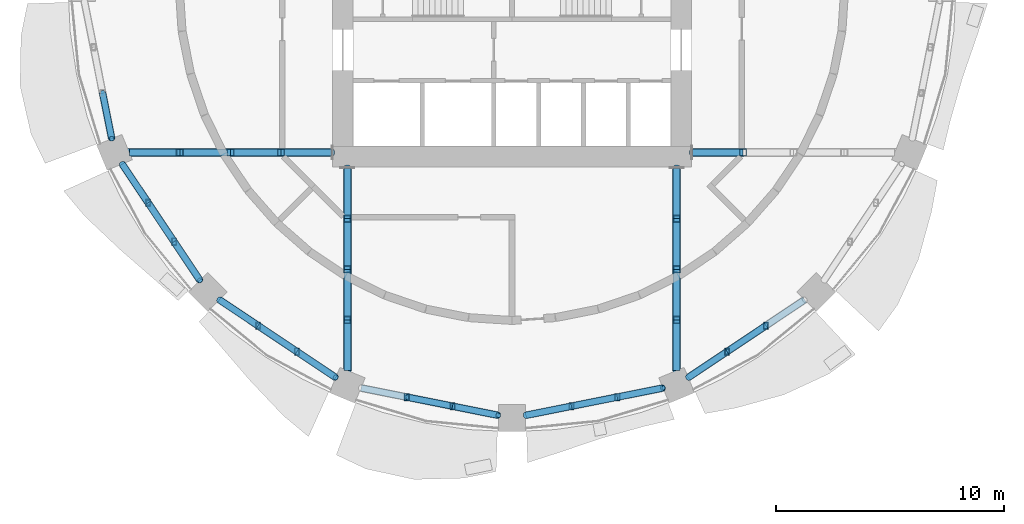
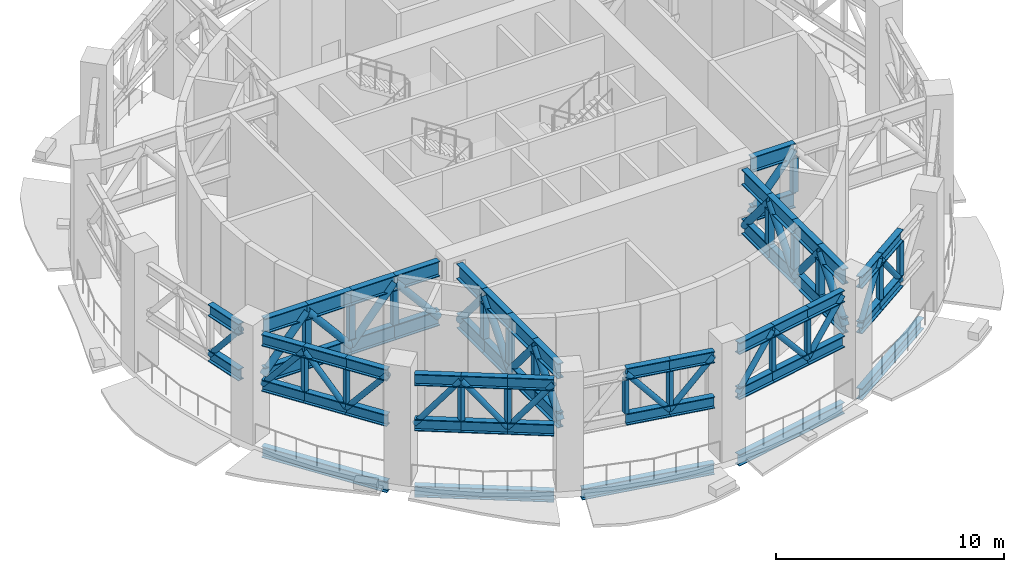
# One storey, part 2 of 14: 101 members, 5 beams.
"""IFC4 building model written with IfcOpenShell, lengths in metres."""

import ifcopenshell
import ifcopenshell.guid

model = None  # the IFC model being written
_history = None  # IfcOwnerHistory: only IFC2X3 demands one
_inside = {}  # id of a spatial element -> (the spatial element, [elements in it])
_under = {}  # id of a project, library or spatial element -> (it, [spatial elements below it])
_declared = {}  # id of a project -> (the project, [libraries it declares])
_typed = {}  # id of a type object -> (the type object, [elements of that type])
_made_of = {}  # id of a material, layer set ... -> (it, [elements and type objects made of it])


def new_model(schema):
    """Start an empty IFC model of exactly this schema.

    Asked for "IFC4X3", IfcOpenShell would pick the latest addendum, in which some entities
    have other attributes; the version numbers below select the first issue.
    IFC2X3 requires an IfcOwnerHistory on every rooted entity: one is made here for all.
    """
    global model, _history
    if schema == "IFC4X3":
        model = ifcopenshell.file(schema_version=(4, 3, 0, 0))
    else:
        model = ifcopenshell.file(schema=schema)
    _inside.clear()
    _under.clear()
    _declared.clear()
    _typed.clear()
    _made_of.clear()
    _history = None
    if model.schema == "IFC2X3":
        org = make("IfcOrganization", Name="unknown")
        user = make(
            "IfcPersonAndOrganization",
            ThePerson=make("IfcPerson", FamilyName="unknown"),
            TheOrganization=org,
        )
        app = make(
            "IfcApplication",
            ApplicationDeveloper=org,
            Version="unknown",
            ApplicationFullName="unknown",
            ApplicationIdentifier="unknown",
        )
        _history = make(
            "IfcOwnerHistory",
            OwningUser=user,
            OwningApplication=app,
            ChangeAction="ADDED",
            CreationDate=0,
        )
    return model


def make(cls, **values):
    """One entity of the class cls with the attributes given. An attribute that is None is left unset."""
    return model.create_entity(
        cls, **{name: value for name, value in values.items() if value is not None}
    )


def rooted(cls, **values):
    """An entity with a GlobalId (a new one), such as an element, a storey or a relation."""
    return make(cls, GlobalId=ifcopenshell.guid.new(), OwnerHistory=_history, **values)


def si_unit(unit_type, name, prefix=None):
    """IfcSIUnit, for example si_unit("LENGTHUNIT", "METRE", prefix="MILLI")."""
    return make("IfcSIUnit", UnitType=unit_type, Prefix=prefix, Name=name)


def assignment(units):
    """IfcUnitAssignment: the units of a project."""
    return None if units is None else make("IfcUnitAssignment", Units=units)


def point(xyz):
    """IfcCartesianPoint."""
    return None if xyz is None else make("IfcCartesianPoint", Coordinates=xyz)


def direction(xyz):
    """IfcDirection."""
    return None if xyz is None else make("IfcDirection", DirectionRatios=xyz)


def frame(location, z_axis=None, x_axis=None):
    """IfcAxis2Placement3D, a coordinate frame: its origin and axes. An axis left out is left unset."""
    return make(
        "IfcAxis2Placement3D",
        Location=point(location),
        Axis=direction(z_axis),
        RefDirection=direction(x_axis),
    )


def frame_2d(location, x_axis=None):
    """IfcAxis2Placement2D, a coordinate frame in the plane: its origin and x axis."""
    return make(
        "IfcAxis2Placement2D", Location=point(location), RefDirection=direction(x_axis)
    )


def origin():
    """The frame at (0, 0, 0) with its axes left unset."""
    return frame((0.0, 0.0, 0.0))


def origin_2d():
    """The frame at (0, 0) in the plane with its x axis left unset."""
    return frame_2d((0.0, 0.0))


def place(relative_to, where):
    """IfcLocalPlacement: puts the frame where relative to a parent placement (None: the world)."""
    return make(
        "IfcLocalPlacement", PlacementRelTo=relative_to, RelativePlacement=where
    )


def context(
    kind, dimensions, precision=None, world=None, true_north=None, identifier=None
):
    """IfcGeometricRepresentationContext, for example the 3D "Model" context."""
    return make(
        "IfcGeometricRepresentationContext",
        ContextIdentifier=identifier,
        ContextType=kind,
        CoordinateSpaceDimension=dimensions,
        Precision=precision,
        WorldCoordinateSystem=world,
        TrueNorth=true_north,
    )


def subcontext(parent, identifier, kind, view, scale=None):
    """IfcGeometricRepresentationSubContext, for example "Body" below "Model"."""
    return make(
        "IfcGeometricRepresentationSubContext",
        ContextIdentifier=identifier,
        ContextType=kind,
        ParentContext=parent,
        TargetScale=scale,
        TargetView=view,
    )


def project(units=None, contexts=None):
    """IfcProject with its units and contexts."""
    return rooted(
        "IfcProject",
        Name="project",
        RepresentationContexts=contexts,
        UnitsInContext=assignment(units),
    )


def spatial(cls, under=None, at=None, **own):
    """A site, building, storey or space (cls), placed at a placement, below another one or the project."""
    s = rooted(cls, ObjectPlacement=at, **own)
    if under is not None:
        _under.setdefault(under.id(), (under, []))[1].append(s)
    return s


def profile(cls, at=None, kind="AREA", **sizes):
    """A parametric profile (cls). Its sizes go by their IFC names, for example OverallWidth=200.0."""
    return make(cls, ProfileType=kind, Position=at, **sizes)


def hollow_rectangle(**sizes):
    """IfcRectangleHollowProfileDef."""
    return profile("IfcRectangleHollowProfileDef", **sizes)


def hollow_circle(**sizes):
    """IfcCircleHollowProfileDef."""
    return profile("IfcCircleHollowProfileDef", **sizes)


def i_section(**sizes):
    """IfcIShapeProfileDef."""
    return profile("IfcIShapeProfileDef", **sizes)


def extrude(swept, where, along, depth):
    """IfcExtrudedAreaSolid: the profile swept, set in the frame where, extruded along a direction by depth."""
    return make(
        "IfcExtrudedAreaSolid",
        SweptArea=swept,
        Position=where,
        ExtrudedDirection=direction(along),
        Depth=depth,
    )


def shape(context_of_items, identifier, shape_type, items):
    """IfcShapeRepresentation: the items that make up one representation, for example the "Body"."""
    return make(
        "IfcShapeRepresentation",
        ContextOfItems=context_of_items,
        RepresentationIdentifier=identifier,
        RepresentationType=shape_type,
        Items=items,
    )


def material(Name=None, Category=None):
    """IfcMaterial."""
    return make("IfcMaterial", Name=Name, Category=Category)


def material_profile(
    of_material, cross_section, Name=None, Category=None, Priority=None
):
    """IfcMaterialProfile: a cross section and its material."""
    return make(
        "IfcMaterialProfile",
        Name=Name,
        Material=of_material,
        Profile=cross_section,
        Priority=Priority,
        Category=Category,
    )


def profile_set(profiles, Name=None, composite=None):
    """IfcMaterialProfileSet."""
    return make(
        "IfcMaterialProfileSet",
        Name=Name,
        MaterialProfiles=profiles,
        CompositeProfile=composite,
    )


def made_of(thing, what):
    """Note that an element or type object is made of a material, layer set ...; save() writes the relation."""
    if what is not None:
        _made_of.setdefault(what.id(), (what, []))[1].append(thing)
    return thing


def type_object(cls, material=None, **own):
    """A type object (cls), such as IfcWallType, which elements share."""
    return made_of(rooted(cls, **own), material)


def element(
    cls,
    number,
    at=None,
    inside=None,
    cuts=None,
    type_object=None,
    material=None,
    context=None,
    identifier="Body",
    shape_type=None,
    held_by="IfcProductDefinitionShape",
    body=None,
    shapes=None,
    **own,
):
    """One element of the class cls, such as IfcWall. Its Tag is "e" and its number.

    at: its placement. inside: the storey or other place that contains it. cuts: it is an
    opening in that element (IfcRelVoidsElement). A single representation is given by context,
    identifier, shape_type and body (its items); several are given by shapes. held_by: the class
    of the entity that holds the representations. save() writes the other relations.
    """
    e = rooted(cls, Tag="e%d" % number, ObjectPlacement=at, **own)
    if body is not None:
        shapes = [shape(context, identifier, shape_type, body)]
    if shapes is not None:
        e.Representation = make(held_by, Representations=shapes)
    if inside is not None:
        _inside.setdefault(inside.id(), (inside, []))[1].append(e)
    if cuts is not None:
        rooted(
            "IfcRelVoidsElement", RelatingBuildingElement=cuts, RelatedOpeningElement=e
        )
    if type_object is not None:
        _typed.setdefault(type_object.id(), (type_object, []))[1].append(e)
    return made_of(e, material)


def aggregate(whole, parts):
    """IfcRelAggregates: a whole, such as a stair, and the parts it consists of."""
    return rooted("IfcRelAggregates", RelatingObject=whole, RelatedObjects=parts)


def save(model, path):
    """Write the relations noted so far, then the file.

    IfcRelAggregates (storeys below a building ...), IfcRelContainedInSpatialStructure (elements
    in a storey), IfcRelDefinesByType, IfcRelAssociatesMaterial and IfcRelDeclares: one each for
    every whole, place, type object, material and project.
    """
    for whole, parts in _under.values():
        aggregate(whole, parts)
    for where, things in _inside.values():
        rooted(
            "IfcRelContainedInSpatialStructure",
            RelatedElements=things,
            RelatingStructure=where,
        )
    for kind, things in _typed.values():
        rooted("IfcRelDefinesByType", RelatedObjects=things, RelatingType=kind)
    for what, things in _made_of.values():
        rooted("IfcRelAssociatesMaterial", RelatedObjects=things, RelatingMaterial=what)
    for by, libraries in _declared.values():
        rooted("IfcRelDeclares", RelatingContext=by, RelatedDefinitions=libraries)
    model.write(path)


model = new_model("IFC4")

# Units and contexts
model_context = context("Model", 3, precision=1e-05, world=origin(), true_north=direction((0.0, 1.0)))
body_context = subcontext(model_context, "Body", "Model", "MODEL_VIEW")
ifc_project = project(units=[si_unit("LENGTHUNIT", "METRE"), si_unit("AREAUNIT", "SQUARE_METRE"), si_unit("VOLUMEUNIT", "CUBIC_METRE"), si_unit("PLANEANGLEUNIT", "RADIAN"), si_unit("MASSUNIT", "GRAM", prefix="KILO")], contexts=[model_context])

# Site, building, storey
site_placement = place(None, origin())
site = spatial("IfcSite", under=ifc_project, at=site_placement, CompositionType="ELEMENT")
building_placement = place(site_placement, origin())
building = spatial("IfcBuilding", under=site, at=building_placement, Name="Polderwave Tower", CompositionType="ELEMENT")
storey_placement = place(building_placement, frame((0.0, 0.0, 66.35009765625)))
storey = spatial("IfcBuildingStorey", under=building, at=storey_placement, Name="L17", CompositionType="ELEMENT", Elevation=66.35009765625)

# Members
ifc_material_1 = material(Name="Steel S460", Category="steel")
ifc_material_profile_1 = material_profile(ifc_material_1, i_section(OverallWidth=0.304931640625, OverallDepth=0.6201171875, WebThickness=0.02099609375, FlangeThickness=0.0400390625, at=origin_2d()), Name="HE 600 M")
ifc_profile_set_1 = profile_set([ifc_material_profile_1], Name="Steel S460")
member_type_1 = type_object("IfcMemberType", Name="BELT CHORD HE 600 M", PredefinedType="CHORD", material=ifc_profile_set_1)
for number, where, z_axis, x_axis, name in (
    (1, (-17.961669921875, -4.61669921875, 5.33984375), (0.195061289308, -0.980791054921, 0.0), (0.980791054921, 0.195061289308, 0.0), "ST-BT-L17-08-TC3"),
    (2, (-17.961669921875, -4.61669921875, 2.909912109375), (0.195061289308, -0.980791054921, 0.0), (0.980791054921, 0.195061289308, 0.0), "ST-BT-L17-08-BC3"),
):
    element("IfcMember", number, at=place(storey_placement, frame(where, z_axis=z_axis, x_axis=x_axis)), inside=storey, type_object=member_type_1, Name=name, PredefinedType="CHORD", context=body_context, shape_type="SweptSolid", body=[
        extrude(i_section(OverallWidth=0.304931640625, OverallDepth=0.6201171875, WebThickness=0.02099609375, FlangeThickness=0.0400390625, at=origin_2d()), origin(), (0.0, 0.0, 1.0), 2.047607421875),
    ])
for number, where, z_axis, x_axis, name in (
    (3, (-17.10302734375, -7.733642578125, 5.33984375), (0.555580303473, -0.831462883352, 0.0), (0.831462883352, 0.555580303473, 0.0), "ST-BT-L17-09-TC1"),
    (4, (-17.10302734375, -7.733642578125, 2.909912109375), (0.555580303473, -0.831462883352, 0.0), (0.831462883352, 0.555580303473, 0.0), "ST-BT-L17-09-BC1"),
    (5, (-15.96533203125, -9.436279296875, 5.33984375), (0.555580303473, -0.831462883352, 0.0), (0.831462883352, 0.555580303473, 0.0), "ST-BT-L17-09-TC2"),
    (6, (-15.96533203125, -9.436279296875, 2.909912109375), (0.555580303473, -0.831462883352, 0.0), (0.831462883352, 0.555580303473, 0.0), "ST-BT-L17-09-BC2"),
    (7, (-14.82763671875, -11.138916015625, 5.33984375), (0.555580303473, -0.831462883352, 0.0), (0.831462883352, 0.555580303473, 0.0), "ST-BT-L17-09-TC3"),
    (8, (-14.82763671875, -11.138916015625, 2.909912109375), (0.555580303473, -0.831462883352, 0.0), (0.831462883352, 0.555580303473, 0.0), "ST-BT-L17-09-BC3"),
    (9, (-12.841552734375, -13.68994140625, 5.33984375), (0.831462883352, -0.555580303473, 0.0), (0.555580303473, 0.831462883352, 0.0), "ST-BT-L17-10-TC1"),
    (10, (-12.841552734375, -13.68994140625, 2.909912109375), (0.831462883352, -0.555580303473, 0.0), (0.555580303473, 0.831462883352, 0.0), "ST-BT-L17-10-BC1"),
    (11, (-11.138916015625, -14.82763671875, 5.33984375), (0.831462883352, -0.555580303473, 0.0), (0.555580303473, 0.831462883352, 0.0), "ST-BT-L17-10-TC2"),
    (12, (-11.138916015625, -14.82763671875, 2.909912109375), (0.831462883352, -0.555580303473, 0.0), (0.555580303473, 0.831462883352, 0.0), "ST-BT-L17-10-BC2"),
    (13, (-9.436279296875, -15.96533203125, 5.33984375), (0.831462883352, -0.555580303473, 0.0), (0.555580303473, 0.831462883352, 0.0), "ST-BT-L17-10-TC3"),
    (14, (-9.436279296875, -15.96533203125, 2.909912109375), (0.831462883352, -0.555580303473, 0.0), (0.555580303473, 0.831462883352, 0.0), "ST-BT-L17-10-BC3"),
):
    element("IfcMember", number, at=place(storey_placement, frame(where, z_axis=z_axis, x_axis=x_axis)), inside=storey, type_object=member_type_1, Name=name, PredefinedType="CHORD", context=body_context, shape_type="SweptSolid", body=[
        extrude(i_section(OverallWidth=0.304931640625, OverallDepth=0.6201171875, WebThickness=0.02099609375, FlangeThickness=0.0400390625, at=origin_2d()), origin(), (0.0, 0.0, 1.0), 2.0478515625),
    ])
for number, where, z_axis, x_axis, name in (
    (15, (-4.61669921875, -17.961669921875, 5.33984375), (0.980791054921, -0.195061289308, 0.0), (0.195061289308, 0.980791054921, 0.0), "ST-BT-L17-11-TC2"),
    (16, (-4.61669921875, -17.961669921875, 2.909912109375), (0.980791054921, -0.195061289308, 0.0), (0.195061289308, 0.980791054921, 0.0), "ST-BT-L17-11-BC2"),
    (17, (-2.6083984375, -18.361083984375, 5.33984375), (0.980768238216, -0.195175979329, 0.0), (0.195175979329, 0.980768238216, 0.0), "ST-BT-L17-11-TC3"),
    (18, (-2.6083984375, -18.361083984375, 2.909912109375), (0.980768238216, -0.195175979329, 0.0), (0.195175979329, 0.980768238216, 0.0), "ST-BT-L17-11-BC3"),
    (19, (0.60009765625, -18.7607421875, 5.33984375), (0.980768238216, 0.195175979329, 0.0), (-0.195175979329, 0.980768238216, 0.0), "ST-BT-L17-12-TC1"),
    (20, (0.60009765625, -18.7607421875, 2.909912109375), (0.980768238216, 0.195175979329, 0.0), (-0.195175979329, 0.980768238216, 0.0), "ST-BT-L17-12-BC1"),
    (21, (2.6083984375, -18.361083984375, 5.33984375), (0.980791054921, 0.195061289308, 0.0), (-0.195061289308, 0.980791054921, 0.0), "ST-BT-L17-12-TC2"),
    (22, (2.6083984375, -18.361083984375, 2.909912109375), (0.980791054921, 0.195061289308, 0.0), (-0.195061289308, 0.980791054921, 0.0), "ST-BT-L17-12-BC2"),
    (23, (4.61669921875, -17.961669921875, 5.33984375), (0.980791054921, 0.195061289308, 0.0), (-0.195061289308, 0.980791054921, 0.0), "ST-BT-L17-12-TC3"),
    (24, (4.61669921875, -17.961669921875, 2.909912109375), (0.980791054921, 0.195061289308, 0.0), (-0.195061289308, 0.980791054921, 0.0), "ST-BT-L17-12-BC3"),
):
    element("IfcMember", number, at=place(storey_placement, frame(where, z_axis=z_axis, x_axis=x_axis)), inside=storey, type_object=member_type_1, Name=name, PredefinedType="CHORD", context=body_context, shape_type="SweptSolid", body=[
        extrude(i_section(OverallWidth=0.304931640625, OverallDepth=0.6201171875, WebThickness=0.02099609375, FlangeThickness=0.0400390625, at=origin_2d()), origin(), (0.0, 0.0, 1.0), 2.047607421875),
    ])
for number, where, z_axis, x_axis, name in (
    (25, (7.733642578125, -17.10302734375, 5.33984375), (0.831462883352, 0.555580303473, 0.0), (-0.555580303473, 0.831462883352, 0.0), "ST-BT-L17-13-TC1"),
    (26, (7.733642578125, -17.10302734375, 2.909912109375), (0.831462883352, 0.555580303473, 0.0), (-0.555580303473, 0.831462883352, 0.0), "ST-BT-L17-13-BC1"),
    (27, (9.436279296875, -15.96533203125, 5.33984375), (0.831462883352, 0.555580303473, 0.0), (-0.555580303473, 0.831462883352, 0.0), "ST-BT-L17-13-TC2"),
    (28, (9.436279296875, -15.96533203125, 2.909912109375), (0.831462883352, 0.555580303473, 0.0), (-0.555580303473, 0.831462883352, 0.0), "ST-BT-L17-13-BC2"),
):
    element("IfcMember", number, at=place(storey_placement, frame(where, z_axis=z_axis, x_axis=x_axis)), inside=storey, type_object=member_type_1, Name=name, PredefinedType="CHORD", context=body_context, shape_type="SweptSolid", body=[
        extrude(i_section(OverallWidth=0.304931640625, OverallDepth=0.6201171875, WebThickness=0.02099609375, FlangeThickness=0.0400390625, at=origin_2d()), origin(), (0.0, 0.0, 1.0), 2.0478515625),
    ])
ifc_material_profile_2 = material_profile(ifc_material_1, hollow_circle(Radius=0.136474609375, WallThickness=0.012451171875, at=origin_2d()), Name="CHS 273x12.5")
ifc_profile_set_2 = profile_set([ifc_material_profile_2], Name="Steel S460")
member_type_2 = type_object("IfcMemberType", Name="BELT DIAGONAL CHS 273x12.5", PredefinedType="BRACE", material=ifc_profile_set_2)
for number, where, z_axis, x_axis, name in (
    (29, (-17.961669921875, -4.61669921875, 2.909912109375), (0.125695342598, -0.632010934113, 0.764697888065), (0.980791054921, 0.195061289308, 0.0), "ST-BT-L17-08-D3"),
    (30, (-17.10302734375, -7.733642578125, 2.909912109375), (0.358022768665, -0.535804890273, 0.764678243889), (0.831462883352, 0.555580303473, 0.0), "ST-BT-L17-09-D1"),
    (31, (-15.96533203125, -9.436279296875, 5.33984375), (0.358022768665, -0.535804890273, -0.764678243889), (0.831462883352, 0.555580303473, 0.0), "ST-BT-L17-09-D2"),
    (32, (-14.82763671875, -11.138916015625, 2.909912109375), (0.358022768665, -0.535804890273, 0.764678243889), (0.831462883352, 0.555580303473, 0.0), "ST-BT-L17-09-D3"),
    (33, (-12.841552734375, -13.68994140625, 2.909912109375), (0.535804890273, -0.358022768665, 0.764678243889), (0.555580303473, 0.831462883352, 0.0), "ST-BT-L17-10-D1"),
    (34, (-11.138916015625, -14.82763671875, 5.33984375), (0.535804890273, -0.358022768665, -0.764678243889), (0.555580303473, 0.831462883352, 0.0), "ST-BT-L17-10-D2"),
    (35, (-9.436279296875, -15.96533203125, 2.909912109375), (0.535804890273, -0.358022768665, 0.764678243889), (0.555580303473, 0.831462883352, 0.0), "ST-BT-L17-10-D3"),
    (36, (-4.61669921875, -17.961669921875, 5.33984375), (0.632010934113, -0.125695342598, -0.764697888065), (0.195061289308, 0.980791054921, 0.0), "ST-BT-L17-11-D2"),
    (37, (-2.6083984375, -18.361083984375, 2.909912109375), (0.632004828826, -0.12577095852, 0.764690501009), (0.195175979329, 0.980768238216, 0.0), "ST-BT-L17-11-D3"),
    (38, (0.60009765625, -18.7607421875, 2.909912109375), (0.632004828826, 0.12577095852, 0.764690501009), (-0.195175979329, 0.980768238216, 0.0), "ST-BT-L17-12-D1"),
    (39, (2.6083984375, -18.361083984375, 5.33984375), (0.632010934113, 0.125695342598, -0.764697888065), (-0.195061289308, 0.980791054921, 0.0), "ST-BT-L17-12-D2"),
    (40, (4.61669921875, -17.961669921875, 2.909912109375), (0.632010934113, 0.125695342598, 0.764697888065), (-0.195061289308, 0.980791054921, 0.0), "ST-BT-L17-12-D3"),
    (41, (7.733642578125, -17.10302734375, 2.909912109375), (0.535804890273, 0.358022768665, 0.764678243889), (-0.555580303473, 0.831462883352, 0.0), "ST-BT-L17-13-D1"),
    (42, (9.436279296875, -15.96533203125, 5.33984375), (0.535804890273, 0.358022768665, -0.764678243889), (-0.555580303473, 0.831462883352, 0.0), "ST-BT-L17-13-D2"),
):
    element("IfcMember", number, at=place(storey_placement, frame(where, z_axis=z_axis, x_axis=x_axis)), inside=storey, type_object=member_type_2, Name=name, PredefinedType="BRACE", context=body_context, shape_type="SweptSolid", body=[
        extrude(hollow_circle(Radius=0.136474609375, WallThickness=0.012451171875, at=origin_2d()), origin(), (0.0, 0.0, 1.0), 3.177734375),
    ])
ifc_material_profile_3 = material_profile(ifc_material_1, hollow_rectangle(XDim=0.199951171875, YDim=0.300048828125, WallThickness=0.012451171875, at=origin_2d()), Name="RHS 300x200x12.5")
ifc_profile_set_3 = profile_set([ifc_material_profile_3], Name="Steel S460")
member_type_3 = type_object("IfcMemberType", Name="BELT POST RHS 300x200x12.5", PredefinedType="POST", material=ifc_profile_set_3)
for number, where, z_axis, x_axis, name in (
    (43, (-15.96533203125, -9.436279296875, 3.219970703125), (0.0, 0.0, 1.0), (1.0, 0.0, 0.0), "ST-BT-L17-09-P1"),
    (44, (-14.82763671875, -11.138916015625, 3.219970703125), (0.0, 0.0, 1.0), (1.0, 0.0, 0.0), "ST-BT-L17-09-P2"),
    (45, (-11.138916015625, -14.82763671875, 3.219970703125), (0.0, 0.0, 1.0), (1.0, 0.0, 0.0), "ST-BT-L17-10-P1"),
    (46, (-9.436279296875, -15.96533203125, 3.219970703125), (0.0, 0.0, 1.0), (1.0, 0.0, 0.0), "ST-BT-L17-10-P2"),
    (47, (-4.61669921875, -17.961669921875, 3.219970703125), (0.0, 0.0, 1.0), (1.0, 0.0, 0.0), "ST-BT-L17-11-P1"),
    (48, (-2.6083984375, -18.361083984375, 3.219970703125), (0.0, 0.0, 1.0), (1.0, 0.0, 0.0), "ST-BT-L17-11-P2"),
    (49, (2.6083984375, -18.361083984375, 3.219970703125), (0.0, 0.0, 1.0), (1.0, 0.0, 0.0), "ST-BT-L17-12-P1"),
    (50, (4.61669921875, -17.961669921875, 3.219970703125), (0.0, 0.0, 1.0), (1.0, 0.0, 0.0), "ST-BT-L17-12-P2"),
    (51, (9.436279296875, -15.96533203125, 3.219970703125), (0.0, 0.0, 1.0), (1.0, 0.0, 0.0), "ST-BT-L17-13-P1"),
    (52, (11.138916015625, -14.82763671875, 3.219970703125), (0.0, 0.0, 1.0), (1.0, 0.0, 0.0), "ST-BT-L17-13-P2"),
):
    element("IfcMember", number, at=place(storey_placement, frame(where, z_axis=z_axis, x_axis=x_axis)), inside=storey, type_object=member_type_3, Name=name, PredefinedType="POST", context=body_context, shape_type="SweptSolid", body=[
        extrude(hollow_rectangle(XDim=0.199951171875, YDim=0.300048828125, WallThickness=0.012451171875, at=origin_2d()), origin(), (0.0, 0.0, 1.0), 1.809814453125),
    ])
ifc_material_profile_4 = material_profile(ifc_material_1, i_section(OverallWidth=0.302978515625, OverallDepth=0.81396484375, WebThickness=0.02099609375, FlangeThickness=0.0400390625, at=origin_2d()), Name="HE 800 M")
ifc_profile_set_4 = profile_set([ifc_material_profile_4], Name="Steel S460")
member_type_4 = type_object("IfcMemberType", Name="OUTRIGGER CHORD HE 800 M", PredefinedType="CHORD", material=ifc_profile_set_4)
for number, where, z_axis, x_axis, name in (
    (53, (-7.9140625, -7.22509765625, 5.642822265625), (-1.0, 0.0, 0.0), (0.0, -1.0, 0.0), "ST-OR-L17-09-TC1"),
    (54, (-7.9140625, -7.22509765625, 3.0068359375), (-1.0, 0.0, 0.0), (0.0, -1.0, 0.0), "ST-OR-L17-09-BC1"),
):
    element("IfcMember", number, at=place(storey_placement, frame(where, z_axis=z_axis, x_axis=x_axis)), inside=storey, type_object=member_type_4, Name=name, PredefinedType="CHORD", context=body_context, shape_type="SweptSolid", body=[
        extrude(i_section(OverallWidth=0.302978515625, OverallDepth=0.81396484375, WebThickness=0.02099609375, FlangeThickness=0.0400390625, at=origin_2d()), origin(), (0.0, 0.0, 1.0), 2.2197265625),
    ])
for number, where, z_axis, x_axis, name in (
    (55, (-10.1337890625, -7.22509765625, 5.642822265625), (-1.0, 0.0, 0.0), (0.0, -1.0, 0.0), "ST-OR-L17-09-TC2"),
    (56, (-10.1337890625, -7.22509765625, 3.0068359375), (-1.0, 0.0, 0.0), (0.0, -1.0, 0.0), "ST-OR-L17-09-BC2"),
):
    element("IfcMember", number, at=place(storey_placement, frame(where, z_axis=z_axis, x_axis=x_axis)), inside=storey, type_object=member_type_4, Name=name, PredefinedType="CHORD", context=body_context, shape_type="SweptSolid", body=[
        extrude(i_section(OverallWidth=0.302978515625, OverallDepth=0.81396484375, WebThickness=0.02099609375, FlangeThickness=0.0400390625, at=origin_2d()), origin(), (0.0, 0.0, 1.0), 2.219970703125),
    ])
for number, where, z_axis, x_axis, name in (
    (57, (-12.353759765625, -7.22509765625, 5.642822265625), (-1.0, 0.0, 0.0), (0.0, -1.0, 0.0), "ST-OR-L17-09-TC3"),
    (58, (-12.353759765625, -7.22509765625, 3.0068359375), (-1.0, 0.0, 0.0), (0.0, -1.0, 0.0), "ST-OR-L17-09-BC3"),
):
    element("IfcMember", number, at=place(storey_placement, frame(where, z_axis=z_axis, x_axis=x_axis)), inside=storey, type_object=member_type_4, Name=name, PredefinedType="CHORD", context=body_context, shape_type="SweptSolid", body=[
        extrude(i_section(OverallWidth=0.302978515625, OverallDepth=0.81396484375, WebThickness=0.02099609375, FlangeThickness=0.0400390625, at=origin_2d()), origin(), (0.0, 0.0, 1.0), 2.2197265625),
    ])
for number, where, z_axis, x_axis, name in (
    (59, (-14.573486328125, -7.22509765625, 5.642822265625), (-1.0, 0.0, 0.0), (0.0, -1.0, 0.0), "ST-OR-L17-09-TC4"),
    (60, (-14.573486328125, -7.22509765625, 3.0068359375), (-1.0, 0.0, 0.0), (0.0, -1.0, 0.0), "ST-OR-L17-09-BC4"),
):
    element("IfcMember", number, at=place(storey_placement, frame(where, z_axis=z_axis, x_axis=x_axis)), inside=storey, type_object=member_type_4, Name=name, PredefinedType="CHORD", context=body_context, shape_type="SweptSolid", body=[
        extrude(i_section(OverallWidth=0.302978515625, OverallDepth=0.81396484375, WebThickness=0.02099609375, FlangeThickness=0.0400390625, at=origin_2d()), origin(), (0.0, 0.0, 1.0), 2.219970703125),
    ])
for number, where, z_axis, x_axis, name in (
    (61, (-7.22509765625, -7.9140625, 5.642822265625), (0.0, -1.0, 0.0), (1.0, 0.0, 0.0), "ST-OR-L17-11-TC1"),
    (62, (-7.22509765625, -7.9140625, 3.0068359375), (0.0, -1.0, 0.0), (1.0, 0.0, 0.0), "ST-OR-L17-11-BC1"),
):
    element("IfcMember", number, at=place(storey_placement, frame(where, z_axis=z_axis, x_axis=x_axis)), inside=storey, type_object=member_type_4, Name=name, PredefinedType="CHORD", context=body_context, shape_type="SweptSolid", body=[
        extrude(i_section(OverallWidth=0.302978515625, OverallDepth=0.81396484375, WebThickness=0.02099609375, FlangeThickness=0.0400390625, at=origin_2d()), origin(), (0.0, 0.0, 1.0), 2.2197265625),
    ])
for number, where, z_axis, x_axis, name in (
    (63, (-7.22509765625, -10.1337890625, 5.642822265625), (0.0, -1.0, 0.0), (1.0, 0.0, 0.0), "ST-OR-L17-11-TC2"),
    (64, (-7.22509765625, -10.1337890625, 3.0068359375), (0.0, -1.0, 0.0), (1.0, 0.0, 0.0), "ST-OR-L17-11-BC2"),
):
    element("IfcMember", number, at=place(storey_placement, frame(where, z_axis=z_axis, x_axis=x_axis)), inside=storey, type_object=member_type_4, Name=name, PredefinedType="CHORD", context=body_context, shape_type="SweptSolid", body=[
        extrude(i_section(OverallWidth=0.302978515625, OverallDepth=0.81396484375, WebThickness=0.02099609375, FlangeThickness=0.0400390625, at=origin_2d()), origin(), (0.0, 0.0, 1.0), 2.219970703125),
    ])
for number, where, z_axis, x_axis, name in (
    (65, (-7.22509765625, -12.353759765625, 5.642822265625), (0.0, -1.0, 0.0), (1.0, 0.0, 0.0), "ST-OR-L17-11-TC3"),
    (66, (-7.22509765625, -12.353759765625, 3.0068359375), (0.0, -1.0, 0.0), (1.0, 0.0, 0.0), "ST-OR-L17-11-BC3"),
):
    element("IfcMember", number, at=place(storey_placement, frame(where, z_axis=z_axis, x_axis=x_axis)), inside=storey, type_object=member_type_4, Name=name, PredefinedType="CHORD", context=body_context, shape_type="SweptSolid", body=[
        extrude(i_section(OverallWidth=0.302978515625, OverallDepth=0.81396484375, WebThickness=0.02099609375, FlangeThickness=0.0400390625, at=origin_2d()), origin(), (0.0, 0.0, 1.0), 2.2197265625),
    ])
for number, where, z_axis, x_axis, name in (
    (67, (-7.22509765625, -14.573486328125, 5.642822265625), (0.0, -1.0, 0.0), (1.0, 0.0, 0.0), "ST-OR-L17-11-TC4"),
    (68, (-7.22509765625, -14.573486328125, 3.0068359375), (0.0, -1.0, 0.0), (1.0, 0.0, 0.0), "ST-OR-L17-11-BC4"),
):
    element("IfcMember", number, at=place(storey_placement, frame(where, z_axis=z_axis, x_axis=x_axis)), inside=storey, type_object=member_type_4, Name=name, PredefinedType="CHORD", context=body_context, shape_type="SweptSolid", body=[
        extrude(i_section(OverallWidth=0.302978515625, OverallDepth=0.81396484375, WebThickness=0.02099609375, FlangeThickness=0.0400390625, at=origin_2d()), origin(), (0.0, 0.0, 1.0), 2.219970703125),
    ])
for number, where, z_axis, x_axis, name in (
    (69, (7.22509765625, -7.9140625, 5.642822265625), (0.0, -1.0, 0.0), (1.0, 0.0, 0.0), "ST-OR-L17-13-TC1"),
    (70, (7.22509765625, -7.9140625, 3.0068359375), (0.0, -1.0, 0.0), (1.0, 0.0, 0.0), "ST-OR-L17-13-BC1"),
):
    element("IfcMember", number, at=place(storey_placement, frame(where, z_axis=z_axis, x_axis=x_axis)), inside=storey, type_object=member_type_4, Name=name, PredefinedType="CHORD", context=body_context, shape_type="SweptSolid", body=[
        extrude(i_section(OverallWidth=0.302978515625, OverallDepth=0.81396484375, WebThickness=0.02099609375, FlangeThickness=0.0400390625, at=origin_2d()), origin(), (0.0, 0.0, 1.0), 2.2197265625),
    ])
for number, where, z_axis, x_axis, name in (
    (71, (7.22509765625, -10.1337890625, 5.642822265625), (0.0, -1.0, 0.0), (1.0, 0.0, 0.0), "ST-OR-L17-13-TC2"),
    (72, (7.22509765625, -10.1337890625, 3.0068359375), (0.0, -1.0, 0.0), (1.0, 0.0, 0.0), "ST-OR-L17-13-BC2"),
):
    element("IfcMember", number, at=place(storey_placement, frame(where, z_axis=z_axis, x_axis=x_axis)), inside=storey, type_object=member_type_4, Name=name, PredefinedType="CHORD", context=body_context, shape_type="SweptSolid", body=[
        extrude(i_section(OverallWidth=0.302978515625, OverallDepth=0.81396484375, WebThickness=0.02099609375, FlangeThickness=0.0400390625, at=origin_2d()), origin(), (0.0, 0.0, 1.0), 2.219970703125),
    ])
for number, where, z_axis, x_axis, name in (
    (73, (7.22509765625, -12.353759765625, 5.642822265625), (0.0, -1.0, 0.0), (1.0, 0.0, 0.0), "ST-OR-L17-13-TC3"),
    (74, (7.22509765625, -12.353759765625, 3.0068359375), (0.0, -1.0, 0.0), (1.0, 0.0, 0.0), "ST-OR-L17-13-BC3"),
):
    element("IfcMember", number, at=place(storey_placement, frame(where, z_axis=z_axis, x_axis=x_axis)), inside=storey, type_object=member_type_4, Name=name, PredefinedType="CHORD", context=body_context, shape_type="SweptSolid", body=[
        extrude(i_section(OverallWidth=0.302978515625, OverallDepth=0.81396484375, WebThickness=0.02099609375, FlangeThickness=0.0400390625, at=origin_2d()), origin(), (0.0, 0.0, 1.0), 2.2197265625),
    ])
for number, where, z_axis, x_axis, name in (
    (75, (7.22509765625, -14.573486328125, 5.642822265625), (0.0, -1.0, 0.0), (1.0, 0.0, 0.0), "ST-OR-L17-13-TC4"),
    (76, (7.22509765625, -14.573486328125, 3.0068359375), (0.0, -1.0, 0.0), (1.0, 0.0, 0.0), "ST-OR-L17-13-BC4"),
):
    element("IfcMember", number, at=place(storey_placement, frame(where, z_axis=z_axis, x_axis=x_axis)), inside=storey, type_object=member_type_4, Name=name, PredefinedType="CHORD", context=body_context, shape_type="SweptSolid", body=[
        extrude(i_section(OverallWidth=0.302978515625, OverallDepth=0.81396484375, WebThickness=0.02099609375, FlangeThickness=0.0400390625, at=origin_2d()), origin(), (0.0, 0.0, 1.0), 2.219970703125),
    ])
for number, where, z_axis, x_axis, name in (
    (77, (7.9140625, -7.22509765625, 5.642822265625), (1.0, 0.0, 0.0), (0.0, 1.0, 0.0), "ST-OR-L17-15-TC1"),
    (78, (7.9140625, -7.22509765625, 3.0068359375), (1.0, 0.0, 0.0), (0.0, 1.0, 0.0), "ST-OR-L17-15-BC1"),
):
    element("IfcMember", number, at=place(storey_placement, frame(where, z_axis=z_axis, x_axis=x_axis)), inside=storey, type_object=member_type_4, Name=name, PredefinedType="CHORD", context=body_context, shape_type="SweptSolid", body=[
        extrude(i_section(OverallWidth=0.302978515625, OverallDepth=0.81396484375, WebThickness=0.02099609375, FlangeThickness=0.0400390625, at=origin_2d()), origin(), (0.0, 0.0, 1.0), 2.2197265625),
    ])
ifc_material_profile_5 = material_profile(ifc_material_1, hollow_circle(Radius=0.177734375, WallThickness=0.012451171875, at=origin_2d()), Name="CHS 355.6x12.5")
ifc_profile_set_5 = profile_set([ifc_material_profile_5], Name="Steel S460")
member_type_5 = type_object("IfcMemberType", Name="OUTRIGGER DIAGONAL CHS 355.6x12.5", PredefinedType="BRACE", material=ifc_profile_set_5)
member_1_placement = place(storey_placement, frame((-7.9140625, -7.22509765625, 3.0068359375), z_axis=(-0.644127019232, 0.0, 0.764918546706), x_axis=(0.0, -1.0, 0.0)))
element("IfcMember", 79, at=member_1_placement, inside=storey, type_object=member_type_5, Name="ST-OR-L17-09-D1", PredefinedType="BRACE", context=body_context, shape_type="SweptSolid", body=[
    extrude(hollow_circle(Radius=0.177734375, WallThickness=0.012451171875, at=origin_2d()), origin(), (0.0, 0.0, 1.0), 3.446044921875),
])
member_2_placement = place(storey_placement, frame((-10.1337890625, -7.22509765625, 5.642822265625), z_axis=(-0.644168468107, 0.0, -0.764883641279), x_axis=(0.0, -1.0, 0.0)))
element("IfcMember", 80, at=member_2_placement, inside=storey, type_object=member_type_5, Name="ST-OR-L17-09-D2", PredefinedType="BRACE", context=body_context, shape_type="SweptSolid", body=[
    extrude(hollow_circle(Radius=0.177734375, WallThickness=0.012451171875, at=origin_2d()), origin(), (0.0, 0.0, 1.0), 3.4462890625),
])
member_3_placement = place(storey_placement, frame((-12.353759765625, -7.22509765625, 3.0068359375), z_axis=(-0.644127019232, 0.0, 0.764918546706), x_axis=(0.0, -1.0, 0.0)))
element("IfcMember", 81, at=member_3_placement, inside=storey, type_object=member_type_5, Name="ST-OR-L17-09-D3", PredefinedType="BRACE", context=body_context, shape_type="SweptSolid", body=[
    extrude(hollow_circle(Radius=0.177734375, WallThickness=0.012451171875, at=origin_2d()), origin(), (0.0, 0.0, 1.0), 3.446044921875),
])
member_4_placement = place(storey_placement, frame((-14.573486328125, -7.22509765625, 5.642822265625), z_axis=(-0.644168468107, 0.0, -0.764883641279), x_axis=(0.0, -1.0, 0.0)))
element("IfcMember", 82, at=member_4_placement, inside=storey, type_object=member_type_5, Name="ST-OR-L17-09-D4", PredefinedType="BRACE", context=body_context, shape_type="SweptSolid", body=[
    extrude(hollow_circle(Radius=0.177734375, WallThickness=0.012451171875, at=origin_2d()), origin(), (0.0, 0.0, 1.0), 3.4462890625),
])
member_5_placement = place(storey_placement, frame((-7.22509765625, -7.9140625, 3.0068359375), z_axis=(0.0, -0.644127019232, 0.764918546706), x_axis=(1.0, 0.0, 0.0)))
element("IfcMember", 83, at=member_5_placement, inside=storey, type_object=member_type_5, Name="ST-OR-L17-11-D1", PredefinedType="BRACE", context=body_context, shape_type="SweptSolid", body=[
    extrude(hollow_circle(Radius=0.177734375, WallThickness=0.012451171875, at=origin_2d()), origin(), (0.0, 0.0, 1.0), 3.446044921875),
])
member_6_placement = place(storey_placement, frame((-7.22509765625, -10.1337890625, 5.642822265625), z_axis=(0.0, -0.644168468107, -0.764883641279), x_axis=(1.0, 0.0, 0.0)))
element("IfcMember", 84, at=member_6_placement, inside=storey, type_object=member_type_5, Name="ST-OR-L17-11-D2", PredefinedType="BRACE", context=body_context, shape_type="SweptSolid", body=[
    extrude(hollow_circle(Radius=0.177734375, WallThickness=0.012451171875, at=origin_2d()), origin(), (0.0, 0.0, 1.0), 3.4462890625),
])
member_7_placement = place(storey_placement, frame((-7.22509765625, -12.353759765625, 3.0068359375), z_axis=(0.0, -0.644127019232, 0.764918546706), x_axis=(1.0, 0.0, 0.0)))
element("IfcMember", 85, at=member_7_placement, inside=storey, type_object=member_type_5, Name="ST-OR-L17-11-D3", PredefinedType="BRACE", context=body_context, shape_type="SweptSolid", body=[
    extrude(hollow_circle(Radius=0.177734375, WallThickness=0.012451171875, at=origin_2d()), origin(), (0.0, 0.0, 1.0), 3.446044921875),
])
member_8_placement = place(storey_placement, frame((-7.22509765625, -14.573486328125, 5.642822265625), z_axis=(0.0, -0.644168468107, -0.764883641279), x_axis=(1.0, 0.0, 0.0)))
element("IfcMember", 86, at=member_8_placement, inside=storey, type_object=member_type_5, Name="ST-OR-L17-11-D4", PredefinedType="BRACE", context=body_context, shape_type="SweptSolid", body=[
    extrude(hollow_circle(Radius=0.177734375, WallThickness=0.012451171875, at=origin_2d()), origin(), (0.0, 0.0, 1.0), 3.4462890625),
])
member_9_placement = place(storey_placement, frame((7.22509765625, -7.9140625, 3.0068359375), z_axis=(0.0, -0.644127019232, 0.764918546706), x_axis=(1.0, 0.0, 0.0)))
element("IfcMember", 87, at=member_9_placement, inside=storey, type_object=member_type_5, Name="ST-OR-L17-13-D1", PredefinedType="BRACE", context=body_context, shape_type="SweptSolid", body=[
    extrude(hollow_circle(Radius=0.177734375, WallThickness=0.012451171875, at=origin_2d()), origin(), (0.0, 0.0, 1.0), 3.446044921875),
])
member_10_placement = place(storey_placement, frame((7.22509765625, -10.1337890625, 5.642822265625), z_axis=(0.0, -0.644168468107, -0.764883641279), x_axis=(1.0, 0.0, 0.0)))
element("IfcMember", 88, at=member_10_placement, inside=storey, type_object=member_type_5, Name="ST-OR-L17-13-D2", PredefinedType="BRACE", context=body_context, shape_type="SweptSolid", body=[
    extrude(hollow_circle(Radius=0.177734375, WallThickness=0.012451171875, at=origin_2d()), origin(), (0.0, 0.0, 1.0), 3.4462890625),
])
member_11_placement = place(storey_placement, frame((7.22509765625, -12.353759765625, 3.0068359375), z_axis=(0.0, -0.644127019232, 0.764918546706), x_axis=(1.0, 0.0, 0.0)))
element("IfcMember", 89, at=member_11_placement, inside=storey, type_object=member_type_5, Name="ST-OR-L17-13-D3", PredefinedType="BRACE", context=body_context, shape_type="SweptSolid", body=[
    extrude(hollow_circle(Radius=0.177734375, WallThickness=0.012451171875, at=origin_2d()), origin(), (0.0, 0.0, 1.0), 3.446044921875),
])
member_12_placement = place(storey_placement, frame((7.22509765625, -14.573486328125, 5.642822265625), z_axis=(0.0, -0.644168468107, -0.764883641279), x_axis=(1.0, 0.0, 0.0)))
element("IfcMember", 90, at=member_12_placement, inside=storey, type_object=member_type_5, Name="ST-OR-L17-13-D4", PredefinedType="BRACE", context=body_context, shape_type="SweptSolid", body=[
    extrude(hollow_circle(Radius=0.177734375, WallThickness=0.012451171875, at=origin_2d()), origin(), (0.0, 0.0, 1.0), 3.4462890625),
])
member_13_placement = place(storey_placement, frame((7.9140625, -7.22509765625, 3.0068359375), z_axis=(0.644127019232, 0.0, 0.764918546706), x_axis=(0.0, 1.0, 0.0)))
element("IfcMember", 91, at=member_13_placement, inside=storey, type_object=member_type_5, Name="ST-OR-L17-15-D1", PredefinedType="BRACE", context=body_context, shape_type="SweptSolid", body=[
    extrude(hollow_circle(Radius=0.177734375, WallThickness=0.012451171875, at=origin_2d()), origin(), (0.0, 0.0, 1.0), 3.446044921875),
])
ifc_material_profile_6 = material_profile(ifc_material_1, hollow_rectangle(XDim=0.300048828125, YDim=0.300048828125, WallThickness=0.012451171875, at=origin_2d()), Name="SHS 300x300x12.5")
ifc_profile_set_6 = profile_set([ifc_material_profile_6], Name="Steel S460")
member_type_6 = type_object("IfcMemberType", Name="OUTRIGGER POST SHS 300x300x12.5", PredefinedType="POST", material=ifc_profile_set_6)
for number, where, z_axis, x_axis, name in (
    (92, (-10.1337890625, -7.22509765625, 3.413818359375), (0.0, 0.0, 1.0), (1.0, 0.0, 0.0), "ST-OR-L17-09-P1"),
    (93, (-12.353759765625, -7.22509765625, 3.413818359375), (0.0, 0.0, 1.0), (1.0, 0.0, 0.0), "ST-OR-L17-09-P2"),
    (94, (-14.573486328125, -7.22509765625, 3.413818359375), (0.0, 0.0, 1.0), (1.0, 0.0, 0.0), "ST-OR-L17-09-P3"),
    (95, (-7.22509765625, -10.1337890625, 3.413818359375), (0.0, 0.0, 1.0), (1.0, 0.0, 0.0), "ST-OR-L17-11-P1"),
    (96, (-7.22509765625, -12.353759765625, 3.413818359375), (0.0, 0.0, 1.0), (1.0, 0.0, 0.0), "ST-OR-L17-11-P2"),
    (97, (-7.22509765625, -14.573486328125, 3.413818359375), (0.0, 0.0, 1.0), (1.0, 0.0, 0.0), "ST-OR-L17-11-P3"),
    (98, (7.22509765625, -10.1337890625, 3.413818359375), (0.0, 0.0, 1.0), (1.0, 0.0, 0.0), "ST-OR-L17-13-P1"),
    (99, (7.22509765625, -12.353759765625, 3.413818359375), (0.0, 0.0, 1.0), (1.0, 0.0, 0.0), "ST-OR-L17-13-P2"),
    (100, (7.22509765625, -14.573486328125, 3.413818359375), (0.0, 0.0, 1.0), (1.0, 0.0, 0.0), "ST-OR-L17-13-P3"),
    (101, (10.1337890625, -7.22509765625, 3.413818359375), (0.0, 0.0, 1.0), (1.0, 0.0, 0.0), "ST-OR-L17-15-P1"),
):
    element("IfcMember", number, at=place(storey_placement, frame(where, z_axis=z_axis, x_axis=x_axis)), inside=storey, type_object=member_type_6, Name=name, PredefinedType="POST", context=body_context, shape_type="SweptSolid", body=[
        extrude(hollow_rectangle(XDim=0.300048828125, YDim=0.300048828125, WallThickness=0.012451171875, at=origin_2d()), origin(), (0.0, 0.0, 1.0), 1.822021484375),
    ])

# Beams
ifc_material_2 = material(Name="Steel S355", Category="steel")
ifc_material_profile_7 = material_profile(ifc_material_2, i_section(OverallWidth=0.300048828125, OverallDepth=0.60009765625, WebThickness=0.015380859375, FlangeThickness=0.030029296875, at=origin_2d()), Name="HE 600 B")
ifc_profile_set_7 = profile_set([ifc_material_profile_7], Name="Steel S355")
beam_type = type_object("IfcBeamType", Name="RING BEAM HE 600 B", PredefinedType="BEAM", material=ifc_profile_set_7)
for number, where, z_axis, x_axis, name in (
    (102, (-17.10302734375, -7.733642578125, -0.650146484375), (0.555580303473, -0.831462883352, 0.0), (0.831462883352, 0.555580303473, 0.0), "ST-RB-L17-09"),
    (103, (-12.841552734375, -13.68994140625, -0.650146484375), (0.831462883352, -0.555580303473, 0.0), (0.555580303473, 0.831462883352, 0.0), "ST-RB-L17-10"),
):
    element("IfcBeam", number, at=place(storey_placement, frame(where, z_axis=z_axis, x_axis=x_axis)), inside=storey, type_object=beam_type, Name=name, PredefinedType="BEAM", context=body_context, shape_type="SweptSolid", body=[
        extrude(i_section(OverallWidth=0.300048828125, OverallDepth=0.60009765625, WebThickness=0.015380859375, FlangeThickness=0.030029296875, at=origin_2d()), origin(), (0.0, 0.0, 1.0), 6.143310546875),
    ])
for number, where, z_axis, x_axis, name in (
    (104, (-6.625, -17.562255859375, -0.650146484375), (0.980783450725, -0.195099520205, 0.0), (0.195099520205, 0.980783450725, 0.0), "ST-RB-L17-11"),
    (105, (0.60009765625, -18.7607421875, -0.650146484375), (0.980783450725, 0.195099520205, 0.0), (-0.195099520205, 0.980783450725, 0.0), "ST-RB-L17-12"),
):
    element("IfcBeam", number, at=place(storey_placement, frame(where, z_axis=z_axis, x_axis=x_axis)), inside=storey, type_object=beam_type, Name=name, PredefinedType="BEAM", context=body_context, shape_type="SweptSolid", body=[
        extrude(i_section(OverallWidth=0.300048828125, OverallDepth=0.60009765625, WebThickness=0.015380859375, FlangeThickness=0.030029296875, at=origin_2d()), origin(), (0.0, 0.0, 1.0), 6.14306640625),
    ])
beam_placement = place(storey_placement, frame((7.733642578125, -17.10302734375, -0.650146484375), z_axis=(0.831462883352, 0.555580303473, 0.0), x_axis=(-0.555580303473, 0.831462883352, 0.0)))
element("IfcBeam", 106, at=beam_placement, inside=storey, type_object=beam_type, Name="ST-RB-L17-13", PredefinedType="BEAM", context=body_context, shape_type="SweptSolid", body=[
    extrude(i_section(OverallWidth=0.300048828125, OverallDepth=0.60009765625, WebThickness=0.015380859375, FlangeThickness=0.030029296875, at=origin_2d()), origin(), (0.0, 0.0, 1.0), 6.143310546875),
])

save(model, "model.ifc")
